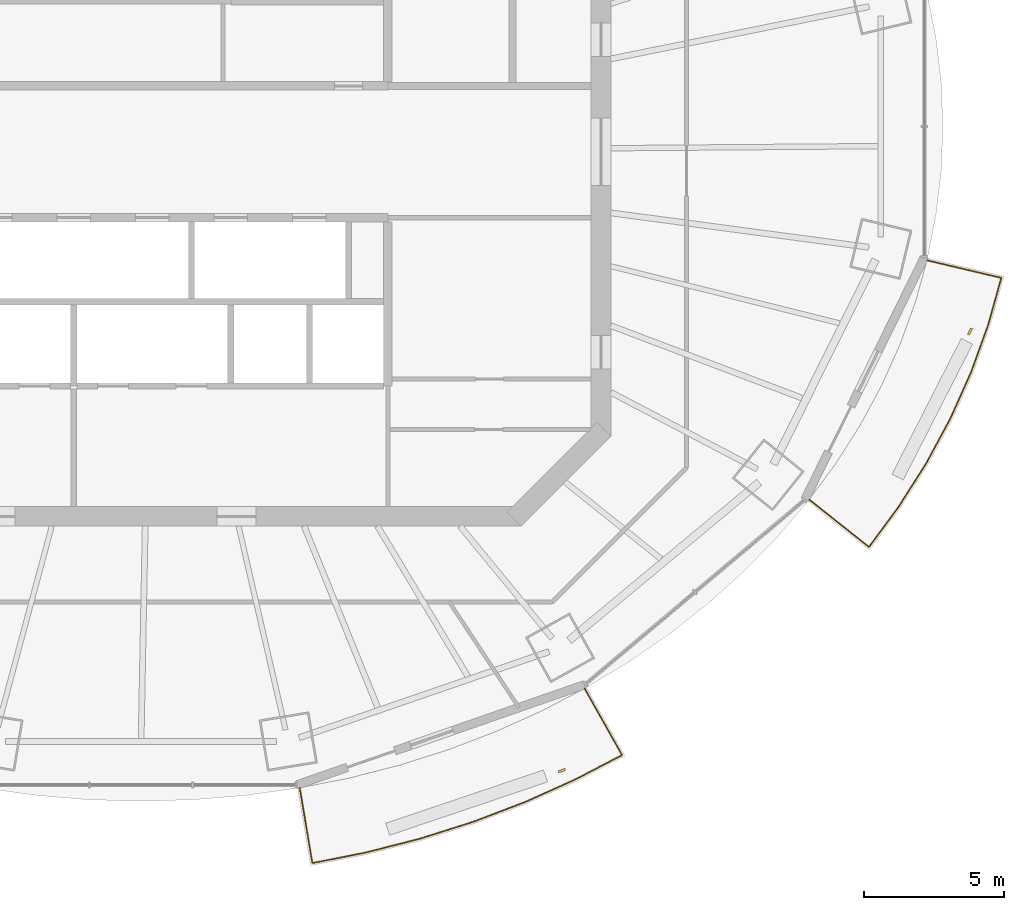
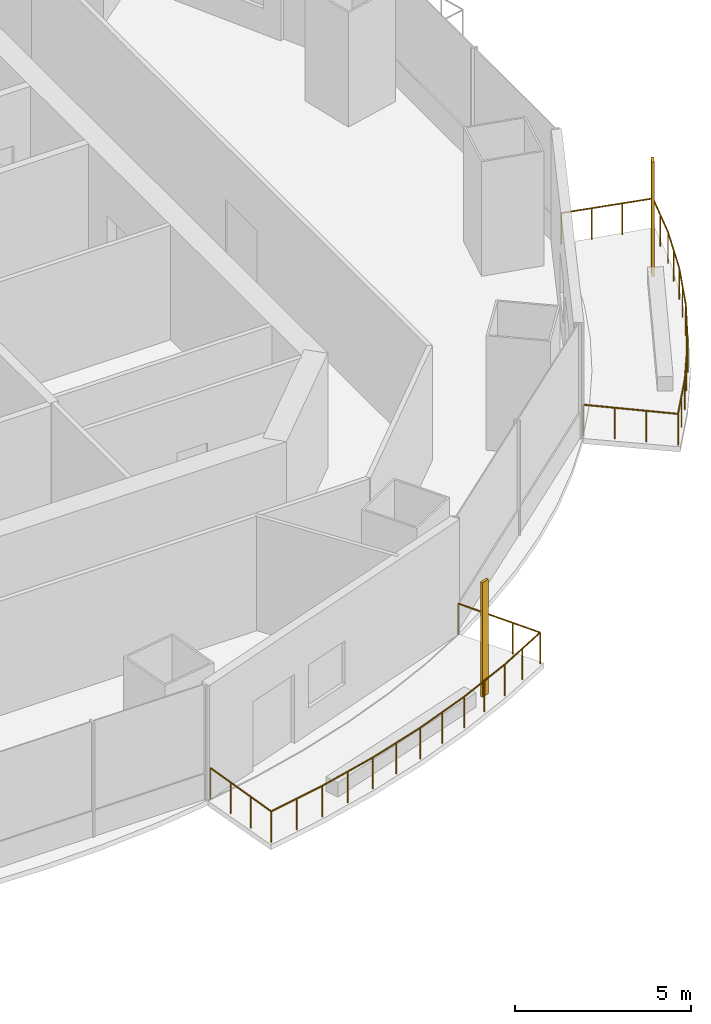
# One storey, part 13 of 16: 2 railings, 2 shading devices.
"""IFC4 building model written with IfcOpenShell, lengths in metres."""

import ifcopenshell
import ifcopenshell.guid

model = None  # the IFC model being written
_history = None  # IfcOwnerHistory: only IFC2X3 demands one
_inside = {}  # id of a spatial element -> (the spatial element, [elements in it])
_under = {}  # id of a project, library or spatial element -> (it, [spatial elements below it])
_declared = {}  # id of a project -> (the project, [libraries it declares])
_typed = {}  # id of a type object -> (the type object, [elements of that type])
_made_of = {}  # id of a material, layer set ... -> (it, [elements and type objects made of it])


def new_model(schema):
    """Start an empty IFC model of exactly this schema.

    Asked for "IFC4X3", IfcOpenShell would pick the latest addendum, in which some entities
    have other attributes; the version numbers below select the first issue.
    IFC2X3 requires an IfcOwnerHistory on every rooted entity: one is made here for all.
    """
    global model, _history
    if schema == "IFC4X3":
        model = ifcopenshell.file(schema_version=(4, 3, 0, 0))
    else:
        model = ifcopenshell.file(schema=schema)
    _inside.clear()
    _under.clear()
    _declared.clear()
    _typed.clear()
    _made_of.clear()
    _history = None
    if model.schema == "IFC2X3":
        org = make("IfcOrganization", Name="unknown")
        user = make(
            "IfcPersonAndOrganization",
            ThePerson=make("IfcPerson", FamilyName="unknown"),
            TheOrganization=org,
        )
        app = make(
            "IfcApplication",
            ApplicationDeveloper=org,
            Version="unknown",
            ApplicationFullName="unknown",
            ApplicationIdentifier="unknown",
        )
        _history = make(
            "IfcOwnerHistory",
            OwningUser=user,
            OwningApplication=app,
            ChangeAction="ADDED",
            CreationDate=0,
        )
    return model


def make(cls, **values):
    """One entity of the class cls with the attributes given. An attribute that is None is left unset."""
    return model.create_entity(
        cls, **{name: value for name, value in values.items() if value is not None}
    )


def rooted(cls, **values):
    """An entity with a GlobalId (a new one), such as an element, a storey or a relation."""
    return make(cls, GlobalId=ifcopenshell.guid.new(), OwnerHistory=_history, **values)


def si_unit(unit_type, name, prefix=None):
    """IfcSIUnit, for example si_unit("LENGTHUNIT", "METRE", prefix="MILLI")."""
    return make("IfcSIUnit", UnitType=unit_type, Prefix=prefix, Name=name)


def assignment(units):
    """IfcUnitAssignment: the units of a project."""
    return None if units is None else make("IfcUnitAssignment", Units=units)


def point(xyz):
    """IfcCartesianPoint."""
    return None if xyz is None else make("IfcCartesianPoint", Coordinates=xyz)


def direction(xyz):
    """IfcDirection."""
    return None if xyz is None else make("IfcDirection", DirectionRatios=xyz)


def frame(location, z_axis=None, x_axis=None):
    """IfcAxis2Placement3D, a coordinate frame: its origin and axes. An axis left out is left unset."""
    return make(
        "IfcAxis2Placement3D",
        Location=point(location),
        Axis=direction(z_axis),
        RefDirection=direction(x_axis),
    )


def frame_2d(location, x_axis=None):
    """IfcAxis2Placement2D, a coordinate frame in the plane: its origin and x axis."""
    return make(
        "IfcAxis2Placement2D", Location=point(location), RefDirection=direction(x_axis)
    )


def origin():
    """The frame at (0, 0, 0) with its axes left unset."""
    return frame((0.0, 0.0, 0.0))


def origin_2d():
    """The frame at (0, 0) in the plane with its x axis left unset."""
    return frame_2d((0.0, 0.0))


def place(relative_to, where):
    """IfcLocalPlacement: puts the frame where relative to a parent placement (None: the world)."""
    return make(
        "IfcLocalPlacement", PlacementRelTo=relative_to, RelativePlacement=where
    )


def context(
    kind, dimensions, precision=None, world=None, true_north=None, identifier=None
):
    """IfcGeometricRepresentationContext, for example the 3D "Model" context."""
    return make(
        "IfcGeometricRepresentationContext",
        ContextIdentifier=identifier,
        ContextType=kind,
        CoordinateSpaceDimension=dimensions,
        Precision=precision,
        WorldCoordinateSystem=world,
        TrueNorth=true_north,
    )


def subcontext(parent, identifier, kind, view, scale=None):
    """IfcGeometricRepresentationSubContext, for example "Body" below "Model"."""
    return make(
        "IfcGeometricRepresentationSubContext",
        ContextIdentifier=identifier,
        ContextType=kind,
        ParentContext=parent,
        TargetScale=scale,
        TargetView=view,
    )


def project(units=None, contexts=None):
    """IfcProject with its units and contexts."""
    return rooted(
        "IfcProject",
        Name="project",
        RepresentationContexts=contexts,
        UnitsInContext=assignment(units),
    )


def spatial(cls, under=None, at=None, **own):
    """A site, building, storey or space (cls), placed at a placement, below another one or the project."""
    s = rooted(cls, ObjectPlacement=at, **own)
    if under is not None:
        _under.setdefault(under.id(), (under, []))[1].append(s)
    return s


def profile(cls, at=None, kind="AREA", **sizes):
    """A parametric profile (cls). Its sizes go by their IFC names, for example OverallWidth=200.0."""
    return make(cls, ProfileType=kind, Position=at, **sizes)


def rectangle(**sizes):
    """IfcRectangleProfileDef."""
    return profile("IfcRectangleProfileDef", **sizes)


def circle(**sizes):
    """IfcCircleProfileDef."""
    return profile("IfcCircleProfileDef", **sizes)


def extrude(swept, where, along, depth):
    """IfcExtrudedAreaSolid: the profile swept, set in the frame where, extruded along a direction by depth."""
    return make(
        "IfcExtrudedAreaSolid",
        SweptArea=swept,
        Position=where,
        ExtrudedDirection=direction(along),
        Depth=depth,
    )


def shape(context_of_items, identifier, shape_type, items):
    """IfcShapeRepresentation: the items that make up one representation, for example the "Body"."""
    return make(
        "IfcShapeRepresentation",
        ContextOfItems=context_of_items,
        RepresentationIdentifier=identifier,
        RepresentationType=shape_type,
        Items=items,
    )


def material(Name=None, Category=None):
    """IfcMaterial."""
    return make("IfcMaterial", Name=Name, Category=Category)


def material_profile(
    of_material, cross_section, Name=None, Category=None, Priority=None
):
    """IfcMaterialProfile: a cross section and its material."""
    return make(
        "IfcMaterialProfile",
        Name=Name,
        Material=of_material,
        Profile=cross_section,
        Priority=Priority,
        Category=Category,
    )


def profile_set(profiles, Name=None, composite=None):
    """IfcMaterialProfileSet."""
    return make(
        "IfcMaterialProfileSet",
        Name=Name,
        MaterialProfiles=profiles,
        CompositeProfile=composite,
    )


def made_of(thing, what):
    """Note that an element or type object is made of a material, layer set ...; save() writes the relation."""
    if what is not None:
        _made_of.setdefault(what.id(), (what, []))[1].append(thing)
    return thing


def type_object(cls, material=None, **own):
    """A type object (cls), such as IfcWallType, which elements share."""
    return made_of(rooted(cls, **own), material)


def element(
    cls,
    number,
    at=None,
    inside=None,
    cuts=None,
    type_object=None,
    material=None,
    context=None,
    identifier="Body",
    shape_type=None,
    held_by="IfcProductDefinitionShape",
    body=None,
    shapes=None,
    **own,
):
    """One element of the class cls, such as IfcWall. Its Tag is "e" and its number.

    at: its placement. inside: the storey or other place that contains it. cuts: it is an
    opening in that element (IfcRelVoidsElement). A single representation is given by context,
    identifier, shape_type and body (its items); several are given by shapes. held_by: the class
    of the entity that holds the representations. save() writes the other relations.
    """
    e = rooted(cls, Tag="e%d" % number, ObjectPlacement=at, **own)
    if body is not None:
        shapes = [shape(context, identifier, shape_type, body)]
    if shapes is not None:
        e.Representation = make(held_by, Representations=shapes)
    if inside is not None:
        _inside.setdefault(inside.id(), (inside, []))[1].append(e)
    if cuts is not None:
        rooted(
            "IfcRelVoidsElement", RelatingBuildingElement=cuts, RelatedOpeningElement=e
        )
    if type_object is not None:
        _typed.setdefault(type_object.id(), (type_object, []))[1].append(e)
    return made_of(e, material)


def aggregate(whole, parts):
    """IfcRelAggregates: a whole, such as a stair, and the parts it consists of."""
    return rooted("IfcRelAggregates", RelatingObject=whole, RelatedObjects=parts)


def save(model, path):
    """Write the relations noted so far, then the file.

    IfcRelAggregates (storeys below a building ...), IfcRelContainedInSpatialStructure (elements
    in a storey), IfcRelDefinesByType, IfcRelAssociatesMaterial and IfcRelDeclares: one each for
    every whole, place, type object, material and project.
    """
    for whole, parts in _under.values():
        aggregate(whole, parts)
    for where, things in _inside.values():
        rooted(
            "IfcRelContainedInSpatialStructure",
            RelatedElements=things,
            RelatingStructure=where,
        )
    for kind, things in _typed.values():
        rooted("IfcRelDefinesByType", RelatedObjects=things, RelatingType=kind)
    for what, things in _made_of.values():
        rooted("IfcRelAssociatesMaterial", RelatedObjects=things, RelatingMaterial=what)
    for by, libraries in _declared.values():
        rooted("IfcRelDeclares", RelatingContext=by, RelatedDefinitions=libraries)
    model.write(path)


model = new_model("IFC4")

# Units and contexts
model_context = context("Model", 3, precision=1e-05, world=origin(), true_north=direction((0.0, 1.0)))
body_context = subcontext(model_context, "Body", "Model", "MODEL_VIEW")
ifc_project = project(units=[si_unit("LENGTHUNIT", "METRE"), si_unit("AREAUNIT", "SQUARE_METRE"), si_unit("VOLUMEUNIT", "CUBIC_METRE"), si_unit("PLANEANGLEUNIT", "RADIAN"), si_unit("MASSUNIT", "GRAM", prefix="KILO")], contexts=[model_context])

# Site, building, storey
site_placement = place(None, origin())
site = spatial("IfcSite", under=ifc_project, at=site_placement, CompositionType="ELEMENT")
building_placement = place(site_placement, origin())
building = spatial("IfcBuilding", under=site, at=building_placement, Name="Marenthal Gate Tower", CompositionType="ELEMENT")
storey_placement = place(building_placement, frame((0.0, 0.0, 305.25)))
storey = spatial("IfcBuildingStorey", under=building, at=storey_placement, Name="L68", CompositionType="ELEMENT", Elevation=305.25)

# Railings
ifc_material_1 = material(Name="Stainless steel", Category="steel")
railing_type = type_object("IfcRailingType", Name="Balcony guard 1100", PredefinedType="GUARDRAIL", material=ifc_material_1)
railing_1_placement = place(storey_placement, frame((15.41748046875, -19.142822265625, 0.0)))
element("IfcRailing", 1, at=railing_1_placement, inside=storey, type_object=railing_type, Name="Balcony guard L68 bay 13", PredefinedType="GUARDRAIL", context=body_context, shape_type="SweptSolid", body=[
    extrude(circle(Radius=0.02392578125, at=origin_2d()), frame((0.0, 0.0, 1.076171875), z_axis=(0.490323175975, -0.871416385785, -0.01471956816), x_axis=(0.871510804143, 0.490376302712, 0.0)), (0.0, 0.0, 1.0), 2.72021484375),
    extrude(circle(Radius=0.02392578125, at=origin_2d()), frame((1.333740234375, -2.370361328125, 1.0361328125), z_axis=(-0.886619639625, -0.462499313113, 0.0), x_axis=(0.462499313113, -0.886619639625, 0.0)), (0.0, 0.0, 1.0), 1.87646484375),
    extrude(circle(Radius=0.02392578125, at=origin_2d()), frame((-0.330078125, -3.23828125, 1.0361328125), z_axis=(-0.912039734027, -0.410101845345, 0.0), x_axis=(0.410101845345, -0.912039734027, 0.0)), (0.0, 0.0, 1.0), 1.969970703125),
    extrude(circle(Radius=0.02392578125, at=origin_2d()), frame((-2.126708984375, -4.046142578125, 1.0361328125), z_axis=(-0.934386218754, -0.356261693426, 0.0), x_axis=(0.356261693426, -0.934386218754, 0.0)), (0.0, 0.0, 1.0), 1.98193359375),
    extrude(circle(Radius=0.02392578125, at=origin_2d()), frame((-3.978515625, -4.752197265625, 1.0361328125), z_axis=(-0.953365734412, -0.301817455508, 0.0), x_axis=(0.301817455508, -0.953365734412, 0.0)), (0.0, 0.0, 1.0), 1.992431640625),
    extrude(circle(Radius=0.02392578125, at=origin_2d()), frame((-5.8779296875, -5.353515625, 1.0361328125), z_axis=(-0.968932635782, -0.24732478104, 0.0), x_axis=(0.24732478104, -0.968932635782, 0.0)), (0.0, 0.0, 1.0), 2.001953125),
    extrude(circle(Radius=0.02392578125, at=origin_2d()), frame((-7.817626953125, -5.8486328125, 1.0361328125), z_axis=(-0.981054729466, -0.193730786897, 0.0), x_axis=(0.193730786897, -0.981054729466, 0.0)), (0.0, 0.0, 1.0), 1.929443359375),
    extrude(circle(Radius=0.02392578125, at=origin_2d()), frame((-9.71044921875, -6.222412109375, 1.0361328125), z_axis=(-0.16513793129, 0.986160646201, 0.014718815615), x_axis=(-0.986267486225, -0.165155822229, 0.0)), (0.0, 0.0, 1.0), 2.72021484375),
    extrude(circle(Radius=0.02099609375, at=origin_2d()), origin(), (0.0, 0.0, 1.0), 1.052001953125),
    extrude(circle(Radius=0.02099609375, at=origin_2d()), frame((0.444580078125, -0.7900390625, -0.013427734375)), (0.0, 0.0, 1.0), 1.052001953125),
    extrude(circle(Radius=0.02099609375, at=origin_2d()), frame((0.88916015625, -1.580322265625, -0.026611328125)), (0.0, 0.0, 1.0), 1.052001953125),
    extrude(circle(Radius=0.02099609375, at=origin_2d()), frame((1.333740234375, -2.370361328125, -0.0400390625)), (0.0, 0.0, 1.0), 1.052001953125),
    extrude(circle(Radius=0.02099609375, at=origin_2d()), frame((0.501953125, -2.80419921875, -0.0400390625)), (0.0, 0.0, 1.0), 1.052001953125),
    extrude(circle(Radius=0.02099609375, at=origin_2d()), frame((-0.330078125, -3.23828125, -0.0400390625)), (0.0, 0.0, 1.0), 1.052001953125),
    extrude(circle(Radius=0.02099609375, at=origin_2d()), frame((-1.228515625, -3.64208984375, -0.0400390625)), (0.0, 0.0, 1.0), 1.052001953125),
    extrude(circle(Radius=0.02099609375, at=origin_2d()), frame((-2.126708984375, -4.046142578125, -0.0400390625)), (0.0, 0.0, 1.0), 1.052001953125),
    extrude(circle(Radius=0.02099609375, at=origin_2d()), frame((-3.052734375, -4.399169921875, -0.0400390625)), (0.0, 0.0, 1.0), 1.052001953125),
    extrude(circle(Radius=0.02099609375, at=origin_2d()), frame((-3.978515625, -4.752197265625, -0.0400390625)), (0.0, 0.0, 1.0), 1.052001953125),
    extrude(circle(Radius=0.02099609375, at=origin_2d()), frame((-4.92822265625, -5.052734375, -0.0400390625)), (0.0, 0.0, 1.0), 1.052001953125),
    extrude(circle(Radius=0.02099609375, at=origin_2d()), frame((-5.8779296875, -5.353515625, -0.0400390625)), (0.0, 0.0, 1.0), 1.052001953125),
    extrude(circle(Radius=0.02099609375, at=origin_2d()), frame((-6.84765625, -5.60107421875, -0.0400390625)), (0.0, 0.0, 1.0), 1.052001953125),
    extrude(circle(Radius=0.02099609375, at=origin_2d()), frame((-7.817626953125, -5.8486328125, -0.0400390625)), (0.0, 0.0, 1.0), 1.052001953125),
    extrude(circle(Radius=0.02099609375, at=origin_2d()), frame((-8.76416015625, -6.03564453125, -0.0400390625)), (0.0, 0.0, 1.0), 1.052001953125),
    extrude(circle(Radius=0.02099609375, at=origin_2d()), frame((-9.71044921875, -6.222412109375, -0.0400390625)), (0.0, 0.0, 1.0), 1.052001953125),
    extrude(circle(Radius=0.02099609375, at=origin_2d()), frame((-9.860107421875, -5.328125, -0.026611328125)), (0.0, 0.0, 1.0), 1.052001953125),
    extrude(circle(Radius=0.02099609375, at=origin_2d()), frame((-10.010009765625, -4.43408203125, -0.013427734375)), (0.0, 0.0, 1.0), 1.052001953125),
    extrude(circle(Radius=0.02099609375, at=origin_2d()), frame((-10.15966796875, -3.539794921875, 0.0)), (0.0, 0.0, 1.0), 1.052001953125),
])
railing_2_placement = place(storey_placement, frame((27.628173828125, -3.871337890625, 0.0)))
element("IfcRailing", 2, at=railing_2_placement, inside=storey, type_object=railing_type, Name="Balcony guard L68 bay 15", PredefinedType="GUARDRAIL", context=body_context, shape_type="SweptSolid", body=[
    extrude(circle(Radius=0.02392578125, at=origin_2d()), frame((0.0, 0.0, 1.076171875), z_axis=(0.973112411133, -0.229859886083, -0.014719649089), x_axis=(0.229884791779, 0.973217849461, 0.0)), (0.0, 0.0, 1.0), 2.72021484375),
    extrude(circle(Radius=0.02392578125, at=origin_2d()), frame((2.64697265625, -0.625244140625, 1.0361328125), z_axis=(-0.268728447288, -0.963215978698, 0.0), x_axis=(0.963215978698, -0.268728447288, 0.0)), (0.0, 0.0, 1.0), 1.718017578125),
    extrude(circle(Radius=0.02392578125, at=origin_2d()), frame((2.185302734375, -2.280029296875, 1.0361328125), z_axis=(-0.33909288178, -0.940752899292, 0.0), x_axis=(0.940752899292, -0.33909288178, 0.0)), (0.0, 0.0, 1.0), 1.8056640625),
    extrude(circle(Radius=0.02392578125, at=origin_2d()), frame((1.572998046875, -3.978759765625, 1.0361328125), z_axis=(-0.408333619035, -0.912832764292, 0.0), x_axis=(0.912832764292, -0.408333619035, 0.0)), (0.0, 0.0, 1.0), 1.815185546875),
    extrude(circle(Radius=0.02392578125, at=origin_2d()), frame((0.831787109375, -5.6357421875, 1.0361328125), z_axis=(-0.474067933151, -0.880488270653, 0.0), x_axis=(0.880488270653, -0.474067933151, 0.0)), (0.0, 0.0, 1.0), 1.826171875),
    extrude(circle(Radius=0.02392578125, at=origin_2d()), frame((-0.033935546875, -7.24365234375, 1.0361328125), z_axis=(-0.536179368299, -0.844104072381, 0.0), x_axis=(0.844104072381, -0.536179368299, 0.0)), (0.0, 0.0, 1.0), 1.838623046875),
    extrude(circle(Radius=0.02392578125, at=origin_2d()), frame((-1.019775390625, -8.795654296875, 1.0361328125), z_axis=(-0.59310034369, -0.80512855018, 0.0), x_axis=(0.80512855018, -0.59310034369, 0.0)), (0.0, 0.0, 1.0), 1.77197265625),
    extrude(circle(Radius=0.02392578125, at=origin_2d()), frame((-2.07080078125, -10.222412109375, 1.0361328125), z_axis=(-0.783334446315, 0.62142618083, 0.014718933226), x_axis=(-0.621493506827, -0.783419313632, 0.0)), (0.0, 0.0, 1.0), 2.72021484375),
    extrude(circle(Radius=0.02099609375, at=origin_2d()), origin(), (0.0, 0.0, 1.0), 1.052001953125),
    extrude(circle(Radius=0.02099609375, at=origin_2d()), frame((0.88232421875, -0.20849609375, -0.013427734375)), (0.0, 0.0, 1.0), 1.052001953125),
    extrude(circle(Radius=0.02099609375, at=origin_2d()), frame((1.7646484375, -0.416748046875, -0.026611328125)), (0.0, 0.0, 1.0), 1.052001953125),
    extrude(circle(Radius=0.02099609375, at=origin_2d()), frame((2.64697265625, -0.625244140625, -0.0400390625)), (0.0, 0.0, 1.0), 1.052001953125),
    extrude(circle(Radius=0.02099609375, at=origin_2d()), frame((2.416015625, -1.45263671875, -0.0400390625)), (0.0, 0.0, 1.0), 1.052001953125),
    extrude(circle(Radius=0.02099609375, at=origin_2d()), frame((2.185302734375, -2.280029296875, -0.0400390625)), (0.0, 0.0, 1.0), 1.052001953125),
    extrude(circle(Radius=0.02099609375, at=origin_2d()), frame((1.879150390625, -3.12939453125, -0.0400390625)), (0.0, 0.0, 1.0), 1.052001953125),
    extrude(circle(Radius=0.02099609375, at=origin_2d()), frame((1.572998046875, -3.978759765625, -0.0400390625)), (0.0, 0.0, 1.0), 1.052001953125),
    extrude(circle(Radius=0.02099609375, at=origin_2d()), frame((1.202392578125, -4.80712890625, -0.0400390625)), (0.0, 0.0, 1.0), 1.052001953125),
    extrude(circle(Radius=0.02099609375, at=origin_2d()), frame((0.831787109375, -5.6357421875, -0.0400390625)), (0.0, 0.0, 1.0), 1.052001953125),
    extrude(circle(Radius=0.02099609375, at=origin_2d()), frame((0.39892578125, -6.439697265625, -0.0400390625)), (0.0, 0.0, 1.0), 1.052001953125),
    extrude(circle(Radius=0.02099609375, at=origin_2d()), frame((-0.033935546875, -7.24365234375, -0.0400390625)), (0.0, 0.0, 1.0), 1.052001953125),
    extrude(circle(Radius=0.02099609375, at=origin_2d()), frame((-0.52685546875, -8.01953125, -0.0400390625)), (0.0, 0.0, 1.0), 1.052001953125),
    extrude(circle(Radius=0.02099609375, at=origin_2d()), frame((-1.019775390625, -8.795654296875, -0.0400390625)), (0.0, 0.0, 1.0), 1.052001953125),
    extrude(circle(Radius=0.02099609375, at=origin_2d()), frame((-1.54541015625, -9.509033203125, -0.0400390625)), (0.0, 0.0, 1.0), 1.052001953125),
    extrude(circle(Radius=0.02099609375, at=origin_2d()), frame((-2.07080078125, -10.222412109375, -0.0400390625)), (0.0, 0.0, 1.0), 1.052001953125),
    extrude(circle(Radius=0.02099609375, at=origin_2d()), frame((-2.781005859375, -9.658935546875, -0.026611328125)), (0.0, 0.0, 1.0), 1.052001953125),
    extrude(circle(Radius=0.02099609375, at=origin_2d()), frame((-3.491455078125, -9.095458984375, -0.013427734375)), (0.0, 0.0, 1.0), 1.052001953125),
    extrude(circle(Radius=0.02099609375, at=origin_2d()), frame((-4.20166015625, -8.531982421875, 0.0)), (0.0, 0.0, 1.0), 1.052001953125),
])

# Shading devices
ifc_material_2 = material(Name="Terracotta", Category="masonry")
ifc_material_profile = material_profile(ifc_material_2, rectangle(XDim=0.25, YDim=0.080078125, at=origin_2d()), Name="Terracotta baguette 250x80")
ifc_profile_set = profile_set([ifc_material_profile], Name="Terracotta")
shading_device_type = type_object("IfcShadingDeviceType", Name="Terracotta BAGUETTE SCREEN 250x80", PredefinedType="USERDEFINED", material=ifc_profile_set)
for number, where, z_axis, x_axis, name in (
    (3, (14.60498046875, -22.066162109375, -0.0400390625), (0.0, 0.0, 1.0), (0.944279584145, 0.329144446962, 0.0), "Terracotta BAGUETTE L68 bay 13R"),
    (4, (29.1611328125, -6.410888671875, -0.0400390625), (0.0, 0.0, 1.0), (0.441623511691, 0.897200464735, 0.0), "Terracotta BAGUETTE L68 bay 15R"),
):
    element("IfcShadingDevice", number, at=place(storey_placement, frame(where, z_axis=z_axis, x_axis=x_axis)), inside=storey, type_object=shading_device_type, Name=name, ObjectType="BAGUETTE SCREEN", PredefinedType="USERDEFINED", context=body_context, shape_type="SweptSolid", body=[
        extrude(rectangle(XDim=0.25, YDim=0.080078125, at=origin_2d()), origin(), (0.0, 0.0, 1.0), 3.969970703125),
    ])

save(model, "model.ifc")
